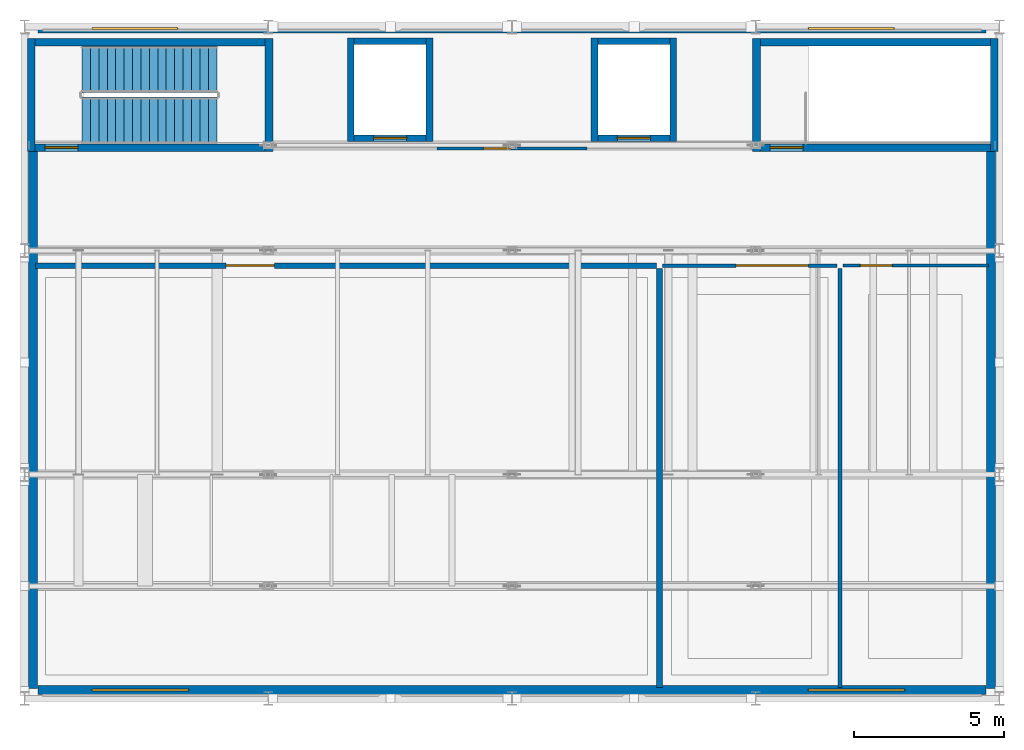
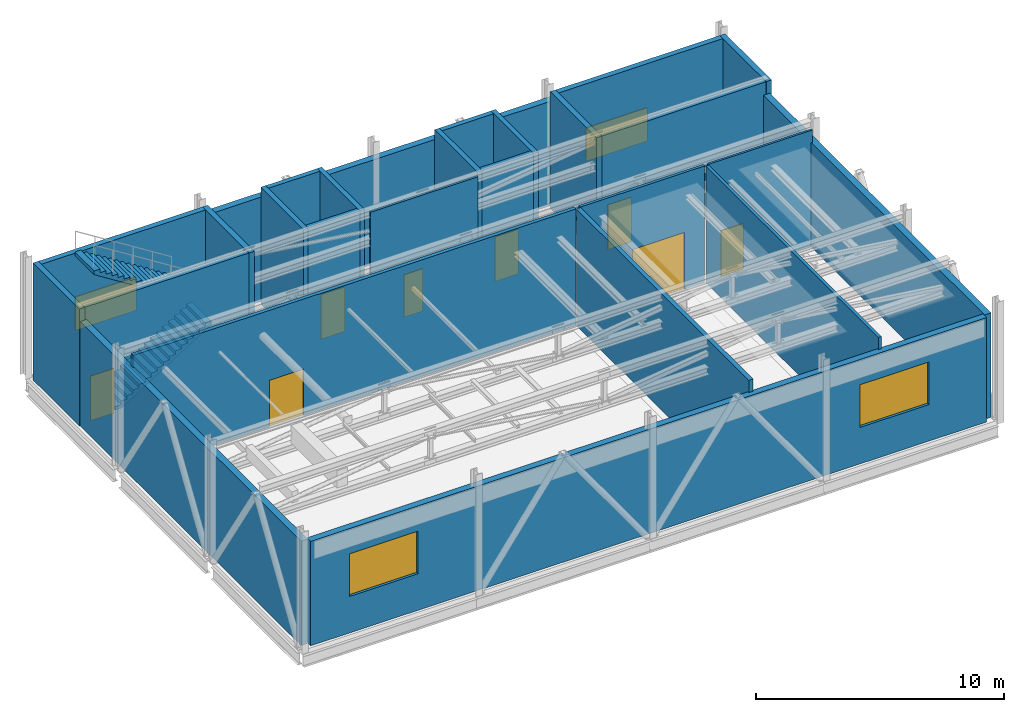
# One storey, part 19 of 21: 26 walls, 8 doors, 4 windows, 2 stair flights, 12 openings, 1 element without a shape of its own.
"""IFC4 building model written with IfcOpenShell, lengths in metres."""

from ifc_helpers import new_model, si_unit, direction, frame, frame_2d, origin, place, context, subcontext, project, spatial, polyline, rectangle, outline, extrude, material, layer, layer_set, type_object, element, fill, aggregate, save


model = new_model("IFC4")

# Units and contexts
model_context = context("Model", 3, precision=1e-05, world=origin(), true_north=direction((0.0, 1.0)))
body_context = subcontext(model_context, "Body", "Model", "MODEL_VIEW")
ifc_project = project(units=[si_unit("LENGTHUNIT", "METRE"), si_unit("AREAUNIT", "SQUARE_METRE"), si_unit("VOLUMEUNIT", "CUBIC_METRE"), si_unit("PLANEANGLEUNIT", "RADIAN"), si_unit("MASSUNIT", "GRAM", prefix="KILO")], contexts=[model_context])

# Site, building, storey
site_placement = place(None, origin())
site = spatial("IfcSite", under=ifc_project, at=site_placement, CompositionType="ELEMENT")
building_placement = place(site_placement, origin())
building = spatial("IfcBuilding", under=site, at=building_placement, Name="Kaelora Sail Theatre", CompositionType="ELEMENT")
storey_placement = place(building_placement, frame((0.0, 0.0, 27.60009765625)))
storey = spatial("IfcBuildingStorey", under=building, at=storey_placement, Name="L06", CompositionType="ELEMENT", Elevation=27.60009765625)

# Wall, opening, door
ifc_material_1 = material(Name="Concrete C40/50", Category="concrete")
ifc_layer_1 = layer(ifc_material_1, 0.25)
ifc_layer_set_1 = layer_set([ifc_layer_1], Name="Concrete C40/50")
wall_type_1 = type_object("IfcWallType", Name="ARC-WL-CW-250", PredefinedType="SHEAR", material=ifc_layer_set_1)
wall_1_placement = place(storey_placement, frame((26.155029296875, 79.324951171875, 0.0), z_axis=(0.0, 0.0, 1.0), x_axis=(1.0, 0.0, 0.0)))
wall_1 = element("IfcWall", 1, at=wall_1_placement, inside=storey, type_object=wall_type_1, Name="Stair shaft ST-K1 wall L06-S", PredefinedType="SHEAR", context=body_context, shape_type="SweptSolid", body=[
    extrude(rectangle(XDim=7.639892578125, YDim=0.25, at=frame_2d((3.81982421875, 0.0))), origin(), (0.0, 0.0, 1.0), 5.764892578125),
])
opening_1_placement = place(wall_1_placement, frame((0.320068359375, 0.0, 0.0)))
opening_1 = element("IfcOpeningElement", 2, at=opening_1_placement, cuts=wall_1, Name="Opening FD-02", PredefinedType="OPENING", context=body_context, shape_type="SweptSolid", body=[
    extrude(rectangle(XDim=1.10009765625, YDim=2.199951171875, at=frame_2d((0.550048828125, 1.10009765625))), frame((0.0, 0.135, 0.0), z_axis=(0.0, -1.0, 0.0), x_axis=(1.0, 0.0, 0.0)), (0.0, 0.0, 1.0), 0.27),
])
ifc_material_2 = material(Name="Acoustic steel single stair/lobby fire door EI 90-C", Category="steel")
door_type_1 = type_object("IfcDoorType", Name="ARC-DR-FD-02", OperationType="NOTDEFINED", PredefinedType="DOOR", material=ifc_material_2)
door_1_placement = place(opening_1_placement, origin())
door_1 = element("IfcDoor", 3, at=door_1_placement, inside=storey, type_object=door_type_1, Name="Stair ST-K1 door (L06)", OperationType="SINGLE_SWING_LEFT", OverallHeight=2.199951171875, OverallWidth=1.10009765625, PredefinedType="DOOR", context=body_context, shape_type="SweptSolid", body=[
    extrude(rectangle(XDim=1.10009765625, YDim=2.199951171875, at=frame_2d((0.550048828125, 1.10009765625))), frame((0.0, 0.02490234375, 0.0), z_axis=(0.0, -1.0, 0.0), x_axis=(1.0, 0.0, 0.0)), (0.0, 0.0, 1.0), 0.050048828125),
])
fill(opening_1, door_1)

# Walls
wall_2_placement = place(storey_placement, frame((26.155029296875, 82.824951171875, 0.0), z_axis=(0.0, 0.0, 1.0), x_axis=(1.0, 0.0, 0.0)))
element("IfcWall", 4, at=wall_2_placement, inside=storey, type_object=wall_type_1, Name="Stair shaft ST-K1 wall L06-N", PredefinedType="SHEAR", context=body_context, shape_type="SweptSolid", body=[
    extrude(rectangle(XDim=7.639892578125, YDim=0.25, at=frame_2d((3.81982421875, 0.0))), origin(), (0.0, 0.0, 1.0), 5.764892578125),
])
for number, where, z_axis, x_axis, name in (
    (5, (26.02490234375, 79.199951171875, 0.0), (0.0, 0.0, 1.0), (0.0, 1.0, 0.0), "Stair shaft ST-K1 wall L06-W"),
    (6, (33.925048828125, 79.199951171875, 0.0), (0.0, 0.0, 1.0), (0.0, 1.0, 0.0), "Stair shaft ST-K1 wall L06-E"),
):
    element("IfcWall", number, at=place(storey_placement, frame(where, z_axis=z_axis, x_axis=x_axis)), inside=storey, type_object=wall_type_1, Name=name, PredefinedType="SHEAR", context=body_context, shape_type="SweptSolid", body=[
        extrude(rectangle(XDim=3.75, YDim=0.25, at=frame_2d((1.875, 0.0))), origin(), (0.0, 0.0, 1.0), 5.764892578125),
    ])

# Wall, opening, door
wall_3_placement = place(storey_placement, frame((50.2548828125, 79.324951171875, 0.0), z_axis=(0.0, 0.0, 1.0), x_axis=(1.0, 0.0, 0.0)))
wall_3 = element("IfcWall", 7, at=wall_3_placement, inside=storey, type_object=wall_type_1, Name="Stair shaft ST-K5 wall L06-S", PredefinedType="SHEAR", context=body_context, shape_type="SweptSolid", body=[
    extrude(rectangle(XDim=7.64013671875, YDim=0.25, at=frame_2d((3.820068359375, 0.0))), origin(), (0.0, 0.0, 1.0), 5.764892578125),
])
opening_2_placement = place(wall_3_placement, frame((0.320068359375, 0.0, 0.0)))
opening_2 = element("IfcOpeningElement", 8, at=opening_2_placement, cuts=wall_3, Name="Opening FD-02", PredefinedType="OPENING", context=body_context, shape_type="SweptSolid", body=[
    extrude(rectangle(XDim=1.10009765625, YDim=2.199951171875, at=frame_2d((0.550048828125, 1.10009765625))), frame((0.0, 0.135, 0.0), z_axis=(0.0, -1.0, 0.0), x_axis=(1.0, 0.0, 0.0)), (0.0, 0.0, 1.0), 0.27),
])
door_2_placement = place(opening_2_placement, origin())
door_2 = element("IfcDoor", 9, at=door_2_placement, inside=storey, type_object=door_type_1, Name="Stair ST-K5 door (L06)", OperationType="SINGLE_SWING_RIGHT", OverallHeight=2.199951171875, OverallWidth=1.10009765625, PredefinedType="DOOR", context=body_context, shape_type="SweptSolid", body=[
    extrude(rectangle(XDim=1.10009765625, YDim=2.199951171875, at=frame_2d((0.550048828125, 1.10009765625))), frame((0.0, 0.02490234375, 0.0), z_axis=(0.0, -1.0, 0.0), x_axis=(1.0, 0.0, 0.0)), (0.0, 0.0, 1.0), 0.050048828125),
])
fill(opening_2, door_2)

# Walls
wall_4_placement = place(storey_placement, frame((50.2548828125, 82.824951171875, 0.0), z_axis=(0.0, 0.0, 1.0), x_axis=(1.0, 0.0, 0.0)))
element("IfcWall", 10, at=wall_4_placement, inside=storey, type_object=wall_type_1, Name="Stair shaft ST-K5 wall L06-N", PredefinedType="SHEAR", context=body_context, shape_type="SweptSolid", body=[
    extrude(rectangle(XDim=7.64013671875, YDim=0.25, at=frame_2d((3.820068359375, 0.0))), origin(), (0.0, 0.0, 1.0), 5.764892578125),
])
for number, where, z_axis, x_axis, name in (
    (11, (50.125, 79.199951171875, 0.0), (0.0, 0.0, 1.0), (0.0, 1.0, 0.0), "Stair shaft ST-K5 wall L06-W"),
    (12, (58.02490234375, 79.199951171875, 0.0), (0.0, 0.0, 1.0), (0.0, 1.0, 0.0), "Stair shaft ST-K5 wall L06-E"),
):
    element("IfcWall", number, at=place(storey_placement, frame(where, z_axis=z_axis, x_axis=x_axis)), inside=storey, type_object=wall_type_1, Name=name, PredefinedType="SHEAR", context=body_context, shape_type="SweptSolid", body=[
        extrude(rectangle(XDim=3.75, YDim=0.25, at=frame_2d((1.875, 0.0))), origin(), (0.0, 0.0, 1.0), 5.764892578125),
    ])
ifc_material_3 = material(Name="Concrete C40/50", Category="concrete")
ifc_layer_2 = layer(ifc_material_3, 0.300048828125)
ifc_layer_set_2 = layer_set([ifc_layer_2], Name="Concrete C40/50")
wall_type_2 = type_object("IfcWallType", Name="ARC-WL-EW-300", PredefinedType="SOLIDWALL", material=ifc_layer_set_2)
for number, where, z_axis, x_axis, name in (
    (13, (26.080078125, 61.35009765625, 0.0), (0.0, 0.0, 1.0), (0.0, 1.0, 0.0), "Fly Tower West Acoustic Stage-House Wall (L06)"),
    (14, (57.919921875, 61.35009765625, 0.0), (0.0, 0.0, 1.0), (0.0, 1.0, 0.0), "Fly Tower East Acoustic Stage-House Wall (L06)"),
):
    element("IfcWall", number, at=place(storey_placement, frame(where, z_axis=z_axis, x_axis=x_axis)), inside=storey, type_object=wall_type_2, Name=name, PredefinedType="SOLIDWALL", context=body_context, shape_type="SweptSolid", body=[
        extrude(rectangle(XDim=17.949951171875, YDim=0.300048828125, at=frame_2d((8.97509765625, 0.0))), origin(), (0.0, 0.0, 1.0), 5.14501953125),
    ])

# Wall, openings, windows
wall_5_placement = place(storey_placement, frame((26.25, 61.300048828125, 0.0), z_axis=(0.0, 0.0, 1.0), x_axis=(1.0, 0.0, 0.0)))
wall_5 = element("IfcWall", 15, at=wall_5_placement, inside=storey, type_object=wall_type_2, Name="Fly Tower South Stage-House Wall (L06)", PredefinedType="SOLIDWALL", context=body_context, shape_type="SweptSolid", body=[
    extrude(rectangle(XDim=31.5, YDim=0.300048828125, at=frame_2d((15.75, 0.0))), origin(), (0.0, 0.0, 1.0), 5.14501953125),
])
opening_3_placement = place(wall_5_placement, frame((1.800048828125, 0.0, 1.800048828125)))
opening_3 = element("IfcOpeningElement", 16, at=opening_3_placement, cuts=wall_5, Name="Opening W-27", PredefinedType="OPENING", context=body_context, shape_type="SweptSolid", body=[
    extrude(rectangle(XDim=3.199951171875, YDim=2.10009765625, at=frame_2d((1.60009765625, 1.050048828125))), frame((0.0, 0.159902, 0.0), z_axis=(0.0, -1.0, 0.0), x_axis=(1.0, 0.0, 0.0)), (0.0, 0.0, 1.0), 0.320049),
])
opening_4_placement = place(wall_5_placement, frame((25.60009765625, 0.0, 1.800048828125)))
opening_4 = element("IfcOpeningElement", 17, at=opening_4_placement, cuts=wall_5, Name="Opening W-27", PredefinedType="OPENING", context=body_context, shape_type="SweptSolid", body=[
    extrude(rectangle(XDim=3.199951171875, YDim=2.10009765625, at=frame_2d((1.60009765625, 1.050048828125))), frame((0.0, 0.159902, 0.0), z_axis=(0.0, -1.0, 0.0), x_axis=(1.0, 0.0, 0.0)), (0.0, 0.0, 1.0), 0.320049),
])
ifc_material_4 = material(Name="Thermally broken aluminium and low-E double glazing", Category="aluminium")
window_type_1 = type_object("IfcWindowType", Name="ARC-WIN-W-27", PartitioningType="SINGLE_PANEL", PredefinedType="WINDOW", material=ifc_material_4)
window_1_placement = place(opening_3_placement, origin())
window_1 = element("IfcWindow", 18, at=window_1_placement, inside=storey, type_object=window_type_1, Name="Stage-House South Clerestory Ribbon 1", OverallHeight=2.10009765625, OverallWidth=3.199951171875, PartitioningType="SINGLE_PANEL", PredefinedType="WINDOW", context=body_context, shape_type="SweptSolid", body=[
    extrude(rectangle(XDim=3.199951171875, YDim=2.10009765625, at=frame_2d((1.60009765625, 1.050048828125))), frame((0.0, 0.030029296875, 0.0), z_axis=(0.0, -1.0, 0.0), x_axis=(1.0, 0.0, 0.0)), (0.0, 0.0, 1.0), 0.06005859375),
])
fill(opening_3, window_1)
window_2_placement = place(opening_4_placement, origin())
window_2 = element("IfcWindow", 19, at=window_2_placement, inside=storey, type_object=window_type_1, Name="Stage-House South Clerestory Ribbon 2", OverallHeight=2.10009765625, OverallWidth=3.199951171875, PartitioningType="SINGLE_PANEL", PredefinedType="WINDOW", context=body_context, shape_type="SweptSolid", body=[
    extrude(rectangle(XDim=3.199951171875, YDim=2.10009765625, at=frame_2d((1.60009765625, 1.050048828125))), frame((0.0, 0.030029296875, 0.0), z_axis=(0.0, -1.0, 0.0), x_axis=(1.0, 0.0, 0.0)), (0.0, 0.0, 1.0), 0.06005859375),
])
fill(opening_4, window_2)

wall_6_placement = place(storey_placement, frame((26.25, 83.280029296875, 0.0), z_axis=(0.0, 0.0, 1.0), x_axis=(1.0, 0.0, 0.0)))
wall_6 = element("IfcWall", 20, at=wall_6_placement, inside=storey, type_object=wall_type_2, Name="Fly Tower North Stage-House Wall (L06)", PredefinedType="SOLIDWALL", context=body_context, shape_type="SweptSolid", body=[
    extrude(rectangle(XDim=31.5, YDim=0.300048828125, at=frame_2d((15.75, 0.0))), origin(), (0.0, 0.0, 1.0), 5.14501953125),
])
opening_5_placement = place(wall_6_placement, frame((1.800048828125, 0.0, 1.5)))
opening_5 = element("IfcOpeningElement", 21, at=opening_5_placement, cuts=wall_6, Name="Opening W-20", PredefinedType="OPENING", context=body_context, shape_type="SweptSolid", body=[
    extrude(rectangle(XDim=2.85009765625, YDim=1.64990234375, at=frame_2d((1.425048828125, 0.824951171875))), frame((0.0, 0.159902, 0.0), z_axis=(0.0, -1.0, 0.0), x_axis=(1.0, 0.0, 0.0)), (0.0, 0.0, 1.0), 0.320049),
])
opening_6_placement = place(wall_6_placement, frame((25.60009765625, 0.0, 1.5)))
opening_6 = element("IfcOpeningElement", 22, at=opening_6_placement, cuts=wall_6, Name="Opening W-20", PredefinedType="OPENING", context=body_context, shape_type="SweptSolid", body=[
    extrude(rectangle(XDim=2.85009765625, YDim=1.64990234375, at=frame_2d((1.425048828125, 0.824951171875))), frame((0.0, 0.159902, 0.0), z_axis=(0.0, -1.0, 0.0), x_axis=(1.0, 0.0, 0.0)), (0.0, 0.0, 1.0), 0.320049),
])
ifc_material_5 = material(Name="Thermally broken aluminium and low-E double glazing", Category="aluminium")
window_type_2 = type_object("IfcWindowType", Name="ARC-WIN-W-20", PartitioningType="SINGLE_PANEL", PredefinedType="WINDOW", material=ifc_material_5)
window_3_placement = place(opening_5_placement, origin())
window_3 = element("IfcWindow", 23, at=window_3_placement, inside=storey, type_object=window_type_2, Name="Stage-House North Clerestory L06-1", OverallHeight=1.64990234375, OverallWidth=2.85009765625, PartitioningType="SINGLE_PANEL", PredefinedType="WINDOW", context=body_context, shape_type="SweptSolid", body=[
    extrude(rectangle(XDim=2.85009765625, YDim=1.64990234375, at=frame_2d((1.425048828125, 0.824951171875))), frame((0.0, 0.030029296875, 0.0), z_axis=(0.0, -1.0, 0.0), x_axis=(1.0, 0.0, 0.0)), (0.0, 0.0, 1.0), 0.06005859375),
])
fill(opening_5, window_3)
window_4_placement = place(opening_6_placement, origin())
window_4 = element("IfcWindow", 24, at=window_4_placement, inside=storey, type_object=window_type_2, Name="Stage-House North Clerestory L06-2", OverallHeight=1.64990234375, OverallWidth=2.85009765625, PartitioningType="SINGLE_PANEL", PredefinedType="WINDOW", context=body_context, shape_type="SweptSolid", body=[
    extrude(rectangle(XDim=2.85009765625, YDim=1.64990234375, at=frame_2d((1.425048828125, 0.824951171875))), frame((0.0, 0.030029296875, 0.0), z_axis=(0.0, -1.0, 0.0), x_axis=(1.0, 0.0, 0.0)), (0.0, 0.0, 1.0), 0.06005859375),
])
fill(opening_6, window_4)

# Wall, opening, door
ifc_material_6 = material(Name="Sanitary moisture-resistant partition 100 mm", Category="gypsum")
ifc_layer_3 = layer(ifc_material_6, 0.10009765625)
ifc_layer_set_3 = layer_set([ifc_layer_3], Name="Sanitary moisture-resistant partition 100 mm")
wall_type_3 = type_object("IfcWallType", Name="ARC-WL-PT-100", PredefinedType="PARTITIONING", material=ifc_layer_set_3)
wall_7_placement = place(storey_placement, frame((53.0, 75.39990234375, 0.0), z_axis=(0.0, 0.0, 1.0), x_axis=(1.0, 0.0, 0.0)))
wall_7 = element("IfcWall", 25, at=wall_7_placement, inside=storey, type_object=wall_type_3, Name="Interior acoustic partition L06-RIG-OFC/L06-COR-FLY", PredefinedType="PARTITIONING", context=body_context, shape_type="SweptSolid", body=[
    extrude(rectangle(XDim=4.840087890625, YDim=0.10009765625, at=frame_2d((2.419921875, 0.0))), origin(), (0.0, 0.0, 1.0), 5.744873046875),
])
opening_7_placement = place(wall_7_placement, frame((0.580078125, 0.0, 0.0)))
opening_7 = element("IfcOpeningElement", 26, at=opening_7_placement, cuts=wall_7, Name="Opening ID-06", PredefinedType="OPENING", context=body_context, shape_type="SweptSolid", body=[
    extrude(rectangle(XDim=1.050048828125, YDim=2.25, at=frame_2d((0.52490234375, 1.125))), frame((0.0, 0.060049, 0.0), z_axis=(0.0, -1.0, 0.0), x_axis=(1.0, 0.0, 0.0)), (0.0, 0.0, 1.0), 0.120098),
])
ifc_material_7 = material(Name="Soloist dressing acoustic timber door", Category="wood")
door_type_2 = type_object("IfcDoorType", Name="ARC-DR-ID-06", OperationType="NOTDEFINED", PredefinedType="DOOR", material=ifc_material_7)
door_3_placement = place(opening_7_placement, origin())
door_3 = element("IfcDoor", 27, at=door_3_placement, inside=storey, type_object=door_type_2, Name="Interior door L06-RIG-OFC to L06-COR-FLY", OperationType="SINGLE_SWING_LEFT", OverallHeight=2.25, OverallWidth=1.050048828125, PredefinedType="DOOR", context=body_context, shape_type="SweptSolid", body=[
    extrude(rectangle(XDim=1.050048828125, YDim=2.25, at=frame_2d((0.52490234375, 1.125))), frame((0.0, 0.02490234375, 0.0), z_axis=(0.0, -1.0, 0.0), x_axis=(1.0, 0.0, 0.0)), (0.0, 0.0, 1.0), 0.050048828125),
])
fill(opening_7, door_3)

wall_8_placement = place(storey_placement, frame((39.5, 79.300048828125, 0.0), z_axis=(0.0, 0.0, 1.0), x_axis=(1.0, 0.0, 0.0)))
wall_8 = element("IfcWall", 28, at=wall_8_placement, inside=storey, type_object=wall_type_3, Name="Interior acoustic partition L06-COR-FLY/L06-WC-ACC", PredefinedType="PARTITIONING", context=body_context, shape_type="SweptSolid", body=[
    extrude(rectangle(XDim=5.0, YDim=0.10009765625, at=frame_2d((2.5, 0.0))), origin(), (0.0, 0.0, 1.0), 5.744873046875),
])
opening_8_placement = place(wall_8_placement, frame((1.56005859375, 0.0, 0.0)))
opening_8 = element("IfcOpeningElement", 29, at=opening_8_placement, cuts=wall_8, Name="Opening ID-03", PredefinedType="OPENING", context=body_context, shape_type="SweptSolid", body=[
    extrude(rectangle(XDim=0.89990234375, YDim=2.10009765625, at=frame_2d((0.449951171875, 1.050048828125))), frame((0.0, 0.060049, 0.0), z_axis=(0.0, -1.0, 0.0), x_axis=(1.0, 0.0, 0.0)), (0.0, 0.0, 1.0), 0.120098),
])
ifc_material_8 = material(Name="Accessible sanitary laminate door", Category="timber")
door_type_3 = type_object("IfcDoorType", Name="ARC-DR-ID-03", OperationType="NOTDEFINED", PredefinedType="DOOR", material=ifc_material_8)
door_4_placement = place(opening_8_placement, origin())
door_4 = element("IfcDoor", 30, at=door_4_placement, inside=storey, type_object=door_type_3, Name="Interior door L06-COR-FLY to L06-WC-ACC", OperationType="SINGLE_SWING_RIGHT", OverallHeight=2.10009765625, OverallWidth=0.89990234375, PredefinedType="DOOR", context=body_context, shape_type="SweptSolid", body=[
    extrude(rectangle(XDim=0.89990234375, YDim=2.10009765625, at=frame_2d((0.449951171875, 1.050048828125))), frame((0.0, 0.02490234375, 0.0), z_axis=(0.0, -1.0, 0.0), x_axis=(1.0, 0.0, 0.0)), (0.0, 0.0, 1.0), 0.050048828125),
])
fill(opening_8, door_4)

ifc_material_9 = material(Name="Dressing room acoustic partition 130 mm", Category="gypsum")
ifc_layer_4 = layer(ifc_material_9, 0.1298828125)
ifc_layer_set_4 = layer_set([ifc_layer_4], Name="Dressing room acoustic partition 130 mm")
wall_type_4 = type_object("IfcWallType", Name="ARC-WL-PT-130", PredefinedType="PARTITIONING", material=ifc_layer_set_4)
wall_9_placement = place(storey_placement, frame((47.0, 75.39990234375, 0.0), z_axis=(0.0, 0.0, 1.0), x_axis=(1.0, 0.0, 0.0)))
wall_9 = element("IfcWall", 31, at=wall_9_placement, inside=storey, type_object=wall_type_4, Name="Interior acoustic partition L06-HEAD-WCH/L06-COR-FLY", PredefinedType="PARTITIONING", context=body_context, shape_type="SweptSolid", body=[
    extrude(rectangle(XDim=5.800048828125, YDim=0.1298828125, at=frame_2d((2.89990234375, 0.0))), origin(), (0.0, 0.0, 1.0), 5.744873046875),
])
opening_9_placement = place(wall_9_placement, frame((2.447021484375, 0.0, 0.0)))
opening_9 = element("IfcOpeningElement", 32, at=opening_9_placement, cuts=wall_9, Name="Opening ID-05", PredefinedType="OPENING", context=body_context, shape_type="SweptSolid", body=[
    extrude(rectangle(XDim=2.39990234375, YDim=2.800048828125, at=frame_2d((1.199951171875, 1.39990234375))), frame((0.0, 0.074941, 0.0), z_axis=(0.0, -1.0, 0.0), x_axis=(1.0, 0.0, 0.0)), (0.0, 0.0, 1.0), 0.149883),
])
ifc_material_10 = material(Name="Scenery workshop oversize acoustic double door", Category="steel")
door_type_4 = type_object("IfcDoorType", Name="ARC-DR-ID-05", OperationType="NOTDEFINED", PredefinedType="DOOR", material=ifc_material_10)
door_5_placement = place(opening_9_placement, origin())
door_5 = element("IfcDoor", 33, at=door_5_placement, inside=storey, type_object=door_type_4, Name="Interior door L06-HEAD-WCH to L06-COR-FLY", OperationType="DOUBLE_DOOR_SINGLE_SWING", OverallHeight=2.800048828125, OverallWidth=2.39990234375, PredefinedType="DOOR", context=body_context, shape_type="SweptSolid", body=[
    extrude(rectangle(XDim=2.39990234375, YDim=2.800048828125, at=frame_2d((1.199951171875, 1.39990234375))), frame((0.0, 0.02490234375, 0.0), z_axis=(0.0, -1.0, 0.0), x_axis=(1.0, 0.0, 0.0)), (0.0, 0.0, 1.0), 0.050048828125),
])
fill(opening_9, door_5)

# Wall
ifc_material_11 = material(Name="Fire-rated stud partition 140 mm", Category="gypsum")
ifc_layer_5 = layer(ifc_material_11, 0.139892578125)
ifc_layer_set_5 = layer_set([ifc_layer_5], Name="Fire-rated stud partition 140 mm")
wall_type_5 = type_object("IfcWallType", Name="ARC-WL-PT-140", PredefinedType="PARTITIONING", material=ifc_layer_set_5)
wall_10_placement = place(storey_placement, frame((52.89990234375, 61.3798828125, 0.0), z_axis=(0.0, 0.0, 1.0), x_axis=(0.0, 1.0, 0.0)))
element("IfcWall", 34, at=wall_10_placement, inside=storey, type_object=wall_type_5, Name="Interior acoustic partition L06-HEAD-WCH/L06-RIG-OFC", PredefinedType="PARTITIONING", context=body_context, shape_type="SweptSolid", body=[
    extrude(rectangle(XDim=13.920166015625, YDim=0.139892578125, at=frame_2d((6.9599609375, 0.0))), origin(), (0.0, 0.0, 1.0), 5.744873046875),
])

# Wall, opening, door
ifc_material_12 = material(Name="Workshop acoustic stud partition 170 mm", Category="gypsum")
ifc_layer_6 = layer(ifc_material_12, 0.169921875)
ifc_layer_set_6 = layer_set([ifc_layer_6], Name="Workshop acoustic stud partition 170 mm")
wall_type_6 = type_object("IfcWallType", Name="ARC-WL-PT-170", PredefinedType="PARTITIONING", material=ifc_layer_set_6)
wall_11_placement = place(storey_placement, frame((26.159912109375, 75.39990234375, 0.0), z_axis=(0.0, 0.0, 1.0), x_axis=(1.0, 0.0, 0.0)))
wall_11 = element("IfcWall", 35, at=wall_11_placement, inside=storey, type_object=wall_type_6, Name="Interior acoustic partition L06-GRID-MAIN/L06-COR-FLY", PredefinedType="PARTITIONING", context=body_context, shape_type="SweptSolid", body=[
    extrude(rectangle(XDim=20.64013671875, YDim=0.169921875, at=frame_2d((10.320068359375, 0.0))), origin(), (0.0, 0.0, 1.0), 5.744873046875),
])
opening_10_placement = place(wall_11_placement, frame((6.341064453125, 0.0, 0.0)))
opening_10 = element("IfcOpeningElement", 36, at=opening_10_placement, cuts=wall_11, Name="Opening ID-04", PredefinedType="OPENING", context=body_context, shape_type="SweptSolid", body=[
    extrude(rectangle(XDim=1.60009765625, YDim=2.300048828125, at=frame_2d((0.800048828125, 1.14990234375))), frame((0.0, 0.094961, 0.0), z_axis=(0.0, -1.0, 0.0), x_axis=(1.0, 0.0, 0.0)), (0.0, 0.0, 1.0), 0.189922),
])
ifc_material_13 = material(Name="Rehearsal hall acoustic timber double door", Category="wood")
door_type_5 = type_object("IfcDoorType", Name="ARC-DR-ID-04", OperationType="NOTDEFINED", PredefinedType="DOOR", material=ifc_material_13)
door_6_placement = place(opening_10_placement, origin())
door_6 = element("IfcDoor", 37, at=door_6_placement, inside=storey, type_object=door_type_5, Name="Interior door L06-GRID-MAIN to L06-COR-FLY", OperationType="DOUBLE_DOOR_SINGLE_SWING", OverallHeight=2.300048828125, OverallWidth=1.60009765625, PredefinedType="DOOR", context=body_context, shape_type="SweptSolid", body=[
    extrude(rectangle(XDim=1.60009765625, YDim=2.300048828125, at=frame_2d((0.800048828125, 1.14990234375))), frame((0.0, 0.02490234375, 0.0), z_axis=(0.0, -1.0, 0.0), x_axis=(1.0, 0.0, 0.0)), (0.0, 0.0, 1.0), 0.050048828125),
])
fill(opening_10, door_6)

# Wall
ifc_material_14 = material(Name="Acoustic double-stud plasterboard 200 mm", Category="gypsum")
ifc_layer_7 = layer(ifc_material_14, 0.199951171875)
ifc_layer_set_7 = layer_set([ifc_layer_7], Name="Acoustic double-stud plasterboard 200 mm")
wall_type_7 = type_object("IfcWallType", Name="ARC-WL-PT-200", PredefinedType="PARTITIONING", material=ifc_layer_set_7)
wall_12_placement = place(storey_placement, frame((46.89990234375, 61.3798828125, 0.0), z_axis=(0.0, 0.0, 1.0), x_axis=(0.0, 1.0, 0.0)))
element("IfcWall", 38, at=wall_12_placement, inside=storey, type_object=wall_type_7, Name="Interior acoustic partition L06-GRID-MAIN/L06-HEAD-WCH", PredefinedType="PARTITIONING", context=body_context, shape_type="SweptSolid", body=[
    extrude(rectangle(XDim=13.920166015625, YDim=0.199951171875, at=frame_2d((6.9599609375, 0.0))), origin(), (0.0, 0.0, 1.0), 5.744873046875),
])

# Wall, opening, door
ifc_material_15 = material(Name="Concrete C40/50", Category="concrete")
ifc_layer_8 = layer(ifc_material_15, 0.219970703125)
ifc_layer_set_8 = layer_set([ifc_layer_8], Name="Concrete C40/50")
wall_type_8 = type_object("IfcWallType", Name="ARC-WL-SW-220", PredefinedType="SOLIDWALL", material=ifc_layer_set_8)
wall_13_placement = place(storey_placement, frame((36.75, 79.639892578125, 0.0), z_axis=(0.0, 0.0, 1.0), x_axis=(1.0, 0.0, 0.0)))
wall_13 = element("IfcWall", 39, at=wall_13_placement, inside=storey, type_object=wall_type_8, Name="Lift FFL-01 shaft wall L06-S", PredefinedType="SOLIDWALL", context=body_context, shape_type="SweptSolid", body=[
    extrude(rectangle(XDim=2.39990234375, YDim=0.219970703125, at=frame_2d((1.199951171875, 0.0))), origin(), (0.0, 0.0, 1.0), 5.764892578125),
])
opening_11_placement = place(wall_13_placement, frame((0.64990234375, 0.0, 0.0)))
opening_11 = element("IfcOpeningElement", 40, at=opening_11_placement, cuts=wall_13, Name="Opening LD-FFL", PredefinedType="OPENING", context=body_context, shape_type="SweptSolid", body=[
    extrude(rectangle(XDim=1.10009765625, YDim=2.199951171875, at=frame_2d((0.550048828125, 1.10009765625))), frame((0.0, 0.119863, 0.0), z_axis=(0.0, -1.0, 0.0), x_axis=(1.0, 0.0, 0.0)), (0.0, 0.0, 1.0), 0.239971),
])
ifc_material_16 = material(Name="Stainless steel firefighting lift landing door EI 120", Category="steel")
door_type_6 = type_object("IfcDoorType", Name="ARC-DR-LD-FFL", OperationType="NOTDEFINED", PredefinedType="DOOR", material=ifc_material_16)
door_7_placement = place(opening_11_placement, origin())
door_7 = element("IfcDoor", 41, at=door_7_placement, inside=storey, type_object=door_type_6, Name="Lift FFL-01 sliding landing door (L06)", OperationType="SLIDING_TO_LEFT", OverallHeight=2.199951171875, OverallWidth=1.10009765625, PredefinedType="DOOR", context=body_context, shape_type="SweptSolid", body=[
    extrude(rectangle(XDim=1.10009765625, YDim=2.199951171875, at=frame_2d((0.550048828125, 1.10009765625))), frame((0.0, 0.02490234375, 0.0), z_axis=(0.0, -1.0, 0.0), x_axis=(1.0, 0.0, 0.0)), (0.0, 0.0, 1.0), 0.050048828125),
])
fill(opening_11, door_7)

# Walls
wall_14_placement = place(storey_placement, frame((36.75, 82.860107421875, 0.0), z_axis=(0.0, 0.0, 1.0), x_axis=(1.0, 0.0, 0.0)))
element("IfcWall", 42, at=wall_14_placement, inside=storey, type_object=wall_type_8, Name="Lift FFL-01 shaft wall L06-N", PredefinedType="SOLIDWALL", context=body_context, shape_type="SweptSolid", body=[
    extrude(rectangle(XDim=2.39990234375, YDim=0.219970703125, at=frame_2d((1.199951171875, 0.0))), origin(), (0.0, 0.0, 1.0), 5.764892578125),
])
for number, where, z_axis, x_axis, name in (
    (43, (36.639892578125, 79.530029296875, 0.0), (0.0, 0.0, 1.0), (0.0, 1.0, 0.0), "Lift FFL-01 shaft wall L06-W"),
    (44, (39.260009765625, 79.530029296875, 0.0), (0.0, 0.0, 1.0), (0.0, 1.0, 0.0), "Lift FFL-01 shaft wall L06-E"),
):
    element("IfcWall", number, at=place(storey_placement, frame(where, z_axis=z_axis, x_axis=x_axis)), inside=storey, type_object=wall_type_8, Name=name, PredefinedType="SOLIDWALL", context=body_context, shape_type="SweptSolid", body=[
        extrude(rectangle(XDim=3.43994140625, YDim=0.219970703125, at=frame_2d((1.719970703125, 0.0))), origin(), (0.0, 0.0, 1.0), 5.764892578125),
    ])

# Wall, opening, door
wall_15_placement = place(storey_placement, frame((44.85009765625, 79.639892578125, 0.0), z_axis=(0.0, 0.0, 1.0), x_axis=(1.0, 0.0, 0.0)))
wall_15 = element("IfcWall", 45, at=wall_15_placement, inside=storey, type_object=wall_type_8, Name="Lift FFL-02 shaft wall L06-S", PredefinedType="SOLIDWALL", context=body_context, shape_type="SweptSolid", body=[
    extrude(rectangle(XDim=2.39990234375, YDim=0.219970703125, at=frame_2d((1.199951171875, 0.0))), origin(), (0.0, 0.0, 1.0), 5.764892578125),
])
opening_12_placement = place(wall_15_placement, frame((0.64990234375, 0.0, 0.0)))
opening_12 = element("IfcOpeningElement", 46, at=opening_12_placement, cuts=wall_15, Name="Opening LD-FFL", PredefinedType="OPENING", context=body_context, shape_type="SweptSolid", body=[
    extrude(rectangle(XDim=1.10009765625, YDim=2.199951171875, at=frame_2d((0.550048828125, 1.10009765625))), frame((0.0, 0.119863, 0.0), z_axis=(0.0, -1.0, 0.0), x_axis=(1.0, 0.0, 0.0)), (0.0, 0.0, 1.0), 0.239971),
])
door_8_placement = place(opening_12_placement, origin())
door_8 = element("IfcDoor", 47, at=door_8_placement, inside=storey, type_object=door_type_6, Name="Lift FFL-02 sliding landing door (L06)", OperationType="SLIDING_TO_LEFT", OverallHeight=2.199951171875, OverallWidth=1.10009765625, PredefinedType="DOOR", context=body_context, shape_type="SweptSolid", body=[
    extrude(rectangle(XDim=1.10009765625, YDim=2.199951171875, at=frame_2d((0.550048828125, 1.10009765625))), frame((0.0, 0.02490234375, 0.0), z_axis=(0.0, -1.0, 0.0), x_axis=(1.0, 0.0, 0.0)), (0.0, 0.0, 1.0), 0.050048828125),
])
fill(opening_12, door_8)

# Walls
wall_16_placement = place(storey_placement, frame((44.85009765625, 82.860107421875, 0.0), z_axis=(0.0, 0.0, 1.0), x_axis=(1.0, 0.0, 0.0)))
element("IfcWall", 48, at=wall_16_placement, inside=storey, type_object=wall_type_8, Name="Lift FFL-02 shaft wall L06-N", PredefinedType="SOLIDWALL", context=body_context, shape_type="SweptSolid", body=[
    extrude(rectangle(XDim=2.39990234375, YDim=0.219970703125, at=frame_2d((1.199951171875, 0.0))), origin(), (0.0, 0.0, 1.0), 5.764892578125),
])
for number, where, z_axis, x_axis, name in (
    (49, (44.739990234375, 79.530029296875, 0.0), (0.0, 0.0, 1.0), (0.0, 1.0, 0.0), "Lift FFL-02 shaft wall L06-W"),
    (50, (47.360107421875, 79.530029296875, 0.0), (0.0, 0.0, 1.0), (0.0, 1.0, 0.0), "Lift FFL-02 shaft wall L06-E"),
):
    element("IfcWall", number, at=place(storey_placement, frame(where, z_axis=z_axis, x_axis=x_axis)), inside=storey, type_object=wall_type_8, Name=name, PredefinedType="SOLIDWALL", context=body_context, shape_type="SweptSolid", body=[
        extrude(rectangle(XDim=3.43994140625, YDim=0.219970703125, at=frame_2d((1.719970703125, 0.0))), origin(), (0.0, 0.0, 1.0), 5.764892578125),
    ])

# Stair, stair flights
ifc_material_17 = material(Name="Concrete C40/50", Category="concrete")
stair_type = type_object("IfcStairType", Name="ARC-ST-ESC150", PredefinedType="HALF_TURN_STAIR", material=ifc_material_17)
stair_placement = place(storey_placement, origin())
stair = element("IfcStair", 51, at=stair_placement, inside=storey, type_object=stair_type, Name="L06 ST-K1", PredefinedType="HALF_TURN_STAIR")
ifc_material_18 = material(Name="Concrete C40/50", Category="concrete")
stair_flight_type = type_object("IfcStairFlightType", Name="ARC-SF-150", PredefinedType="STRAIGHT", material=ifc_material_18)
stair_flight_1_placement = place(storey_placement, frame((27.7099609375, 80.22509765625, 0.0), z_axis=(0.0, 0.0, 1.0), x_axis=(1.0, 0.0, 0.0)))
stair_flight_1 = element("IfcStairFlight", 52, at=stair_flight_1_placement, type_object=stair_flight_type, Name="ST-K1 flight 1", NumberOfRisers=17, NumberOfTreads=16, PredefinedType="STRAIGHT", RiserHeight=0.176470588, TreadLength=0.28, context=body_context, shape_type="SweptSolid", body=[
    extrude(outline(polyline([(0.0, 0.0), (0.0, 0.176513671875), (0.280029296875, 0.176513671875), (0.280029296875, 0.35302734375), (0.56005859375, 0.35302734375), (0.56005859375, 0.529296875), (0.840087890625, 0.529296875), (0.840087890625, 0.705810546875), (1.1201171875, 0.705810546875), (1.1201171875, 0.88232421875), (1.39990234375, 0.88232421875), (1.39990234375, 1.058837890625), (1.679931640625, 1.058837890625), (1.679931640625, 1.2353515625), (1.9599609375, 1.2353515625), (1.9599609375, 1.411865234375), (2.239990234375, 1.411865234375), (2.239990234375, 1.588134765625), (2.52001953125, 1.588134765625), (2.52001953125, 1.7646484375), (2.800048828125, 1.7646484375), (2.800048828125, 1.941162109375), (3.080078125, 1.941162109375), (3.080078125, 2.11767578125), (3.360107421875, 2.11767578125), (3.360107421875, 2.294189453125), (3.639892578125, 2.294189453125), (3.639892578125, 2.470703125), (3.919921875, 2.470703125), (3.919921875, 2.64697265625), (4.199951171875, 2.64697265625), (4.199951171875, 2.823486328125), (4.47998046875, 2.823486328125), (4.47998046875, 3.0), (4.47998046875, 2.646240234375), (0.28125, 0.0), (0.0, 0.0)])), frame((0.0, 0.77490234375, 0.0), z_axis=(0.0, -1.0, 0.0), x_axis=(1.0, 0.0, 0.0)), (0.0, 0.0, 1.0), 1.550048828125),
])
stair_flight_2_placement = place(storey_placement, frame((32.18994140625, 81.925048828125, 3.0), z_axis=(0.0, 0.0, 1.0), x_axis=(-1.0, 0.0, 0.0)))
stair_flight_2 = element("IfcStairFlight", 53, at=stair_flight_2_placement, type_object=stair_flight_type, Name="ST-K1 flight 2", NumberOfRisers=17, NumberOfTreads=16, PredefinedType="STRAIGHT", RiserHeight=0.176470588, TreadLength=0.28, context=body_context, shape_type="SweptSolid", body=[
    extrude(outline(polyline([(0.0, 0.0), (0.0, 0.176513671875), (0.280029296875, 0.176513671875), (0.280029296875, 0.35302734375), (0.56005859375, 0.35302734375), (0.56005859375, 0.529296875), (0.840087890625, 0.529296875), (0.840087890625, 0.705810546875), (1.1201171875, 0.705810546875), (1.1201171875, 0.88232421875), (1.39990234375, 0.88232421875), (1.39990234375, 1.058837890625), (1.679931640625, 1.058837890625), (1.679931640625, 1.2353515625), (1.9599609375, 1.2353515625), (1.9599609375, 1.411865234375), (2.239990234375, 1.411865234375), (2.239990234375, 1.588134765625), (2.52001953125, 1.588134765625), (2.52001953125, 1.7646484375), (2.800048828125, 1.7646484375), (2.800048828125, 1.941162109375), (3.080078125, 1.941162109375), (3.080078125, 2.11767578125), (3.360107421875, 2.11767578125), (3.360107421875, 2.294189453125), (3.639892578125, 2.294189453125), (3.639892578125, 2.470703125), (3.919921875, 2.470703125), (3.919921875, 2.64697265625), (4.199951171875, 2.64697265625), (4.199951171875, 2.823486328125), (4.47998046875, 2.823486328125), (4.47998046875, 3.0), (4.47998046875, 2.646240234375), (0.28125, 0.0), (0.0, 0.0)])), frame((0.0, 0.77490234375, 0.0), z_axis=(0.0, -1.0, 0.0), x_axis=(1.0, 0.0, 0.0)), (0.0, 0.0, 1.0), 1.550048828125),
])
aggregate(stair, [stair_flight_1, stair_flight_2])

save(model, "model.ifc")
